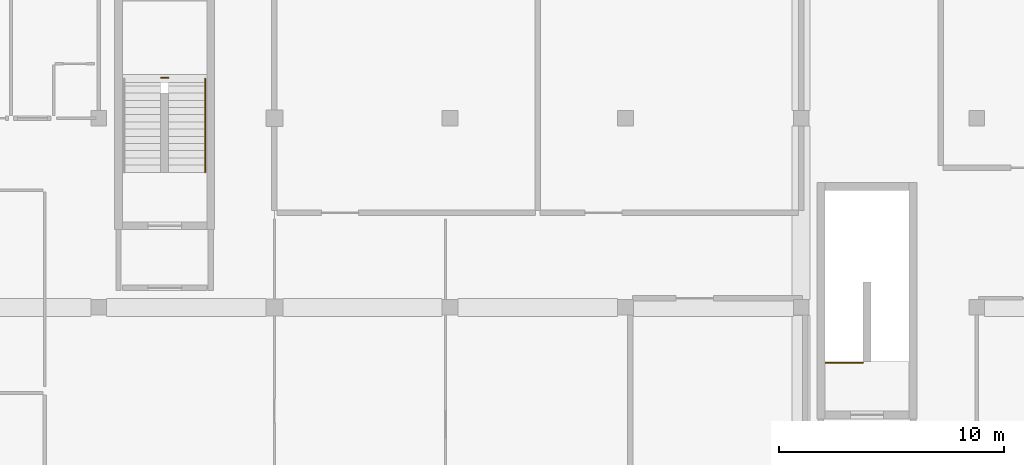
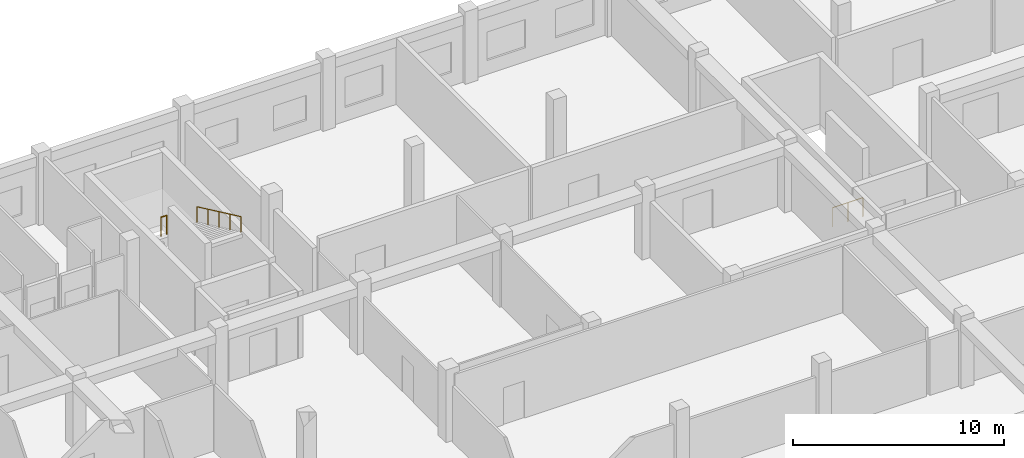
# One storey, part 52 of 53: 3 railings.
"""IFC4 building model written with IfcOpenShell, lengths in metres."""

from ifc_helpers import new_model, si_unit, direction, frame, origin, origin_2d, place, context, subcontext, project, spatial, circle, extrude, material, type_object, element, save


model = new_model("IFC4")

# Units and contexts
model_context = context("Model", 3, precision=1e-05, world=origin(), true_north=direction((0.0, 1.0)))
body_context = subcontext(model_context, "Body", "Model", "MODEL_VIEW")
ifc_project = project(units=[si_unit("LENGTHUNIT", "METRE"), si_unit("AREAUNIT", "SQUARE_METRE"), si_unit("VOLUMEUNIT", "CUBIC_METRE"), si_unit("PLANEANGLEUNIT", "RADIAN"), si_unit("MASSUNIT", "GRAM", prefix="KILO"), si_unit("THERMODYNAMICTEMPERATUREUNIT", "KELVIN"), si_unit("POWERUNIT", "WATT")], contexts=[model_context])

# Site, building, storey
site_placement = place(None, origin())
site = spatial("IfcSite", under=ifc_project, at=site_placement, CompositionType="ELEMENT")
building_placement = place(site_placement, origin())
building = spatial("IfcBuilding", under=site, at=building_placement, Name="Srebrne Nadtorze General Hospital", CompositionType="ELEMENT")
storey_placement = place(building_placement, frame((0.0, 0.0, 18.0)))
storey = spatial("IfcBuildingStorey", under=building, at=storey_placement, Name="L04", CompositionType="ELEMENT", Elevation=18.0)

# Railings
ifc_material_1 = material(Name="Stainless Steel 316", Category="steel")
railing_type_1 = type_object("IfcRailingType", Name="Stairwell safety guard 1120", PredefinedType="BALUSTRADE", material=ifc_material_1)
railing_1_placement = place(storey_placement, frame((49.56494140625, 85.800048828125, 2.10009765625)))
element("IfcRailing", 1, at=railing_1_placement, inside=storey, type_object=railing_type_1, Name="Half landing well guard ST-02-L04", PredefinedType="BALUSTRADE", context=body_context, shape_type="SweptSolid", body=[
    extrude(circle(Radius=0.02392578125, at=origin_2d()), frame((0.0, 0.0, 1.09619140625), z_axis=(1.0, 0.0, 0.0), x_axis=(0.0, 1.0, 0.0)), (0.0, 0.0, 1.0), 0.320068359375),
    extrude(circle(Radius=0.02099609375, at=origin_2d()), origin(), (0.0, 0.0, 1.0), 1.072021484375),
    extrude(circle(Radius=0.02099609375, at=origin_2d()), frame((0.320068359375, 0.0, 0.0)), (0.0, 0.0, 1.0), 1.072021484375),
])
railing_2_placement = place(storey_placement, frame((79.090087890625, 73.139892578125, 0.0)))
element("IfcRailing", 2, at=railing_2_placement, inside=storey, type_object=railing_type_1, Name="Top stairwell guard ST-07", PredefinedType="BALUSTRADE", context=body_context, shape_type="SweptSolid", body=[
    extrude(circle(Radius=0.02392578125, at=origin_2d()), frame((0.0, 0.0, 1.09619140625), z_axis=(1.0, 0.0, 0.0), x_axis=(0.0, 1.0, 0.0)), (0.0, 0.0, 1.0), 1.655029296875),
    extrude(circle(Radius=0.02099609375, at=origin_2d()), origin(), (0.0, 0.0, 1.0), 1.072021484375),
    extrude(circle(Radius=0.02099609375, at=origin_2d()), frame((0.82763671875, 0.0, 0.0)), (0.0, 0.0, 1.0), 1.072021484375),
    extrude(circle(Radius=0.02099609375, at=origin_2d()), frame((1.655029296875, 0.0, 0.0)), (0.0, 0.0, 1.0), 1.072021484375),
])
ifc_material_2 = material(Name="Stainless Steel 316", Category="steel")
railing_type_2 = type_object("IfcRailingType", Name="Tubular stainless handrail 920", PredefinedType="HANDRAIL", material=ifc_material_2)
railing_3_placement = place(storey_placement, frame((51.52001953125, 85.760009765625, 2.25)))
element("IfcRailing", 3, at=railing_3_placement, inside=storey, type_object=railing_type_2, Name="Stair flight handrail ST-02-L04 F2", PredefinedType="HANDRAIL", context=body_context, shape_type="SweptSolid", body=[
    extrude(circle(Radius=0.02392578125, at=origin_2d()), frame((0.0, 0.0, 0.89599609375), z_axis=(0.0, -0.905459574153, 0.424432514746), x_axis=(1.0, 0.0, 0.0)), (0.0, 0.0, 1.0), 4.59423828125),
    extrude(circle(Radius=0.02099609375, at=origin_2d()), origin(), (0.0, 0.0, 1.0), 0.871826171875),
    extrude(circle(Radius=0.02099609375, at=origin_2d()), frame((0.0, -1.0400390625, 0.487548828125)), (0.0, 0.0, 1.0), 0.871826171875),
    extrude(circle(Radius=0.02099609375, at=origin_2d()), frame((0.0, -2.080078125, 0.97509765625)), (0.0, 0.0, 1.0), 0.871826171875),
    extrude(circle(Radius=0.02099609375, at=origin_2d()), frame((0.0, -3.119873046875, 1.46240234375)), (0.0, 0.0, 1.0), 0.871826171875),
    extrude(circle(Radius=0.02099609375, at=origin_2d()), frame((0.0, -4.159912109375, 1.949951171875)), (0.0, 0.0, 1.0), 0.871826171875),
])

save(model, "model.ifc")
